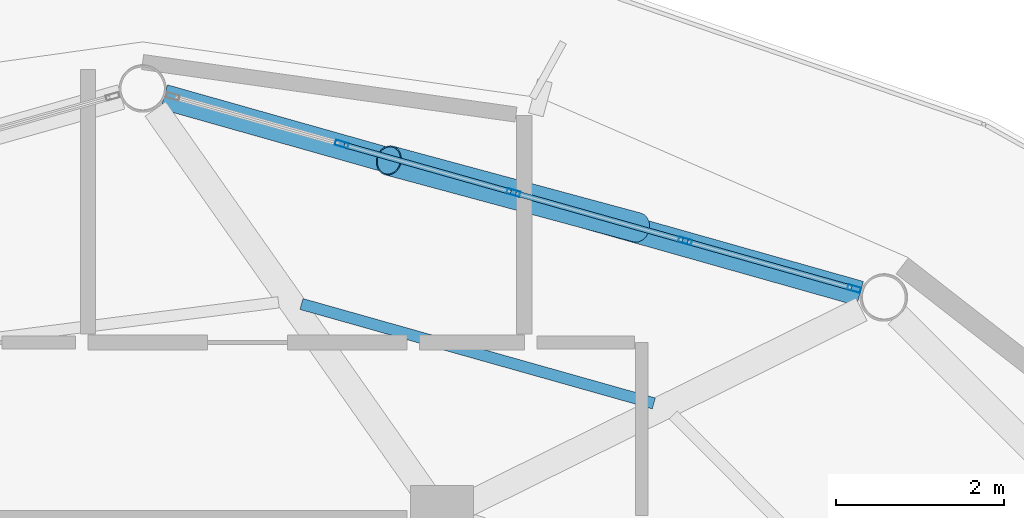
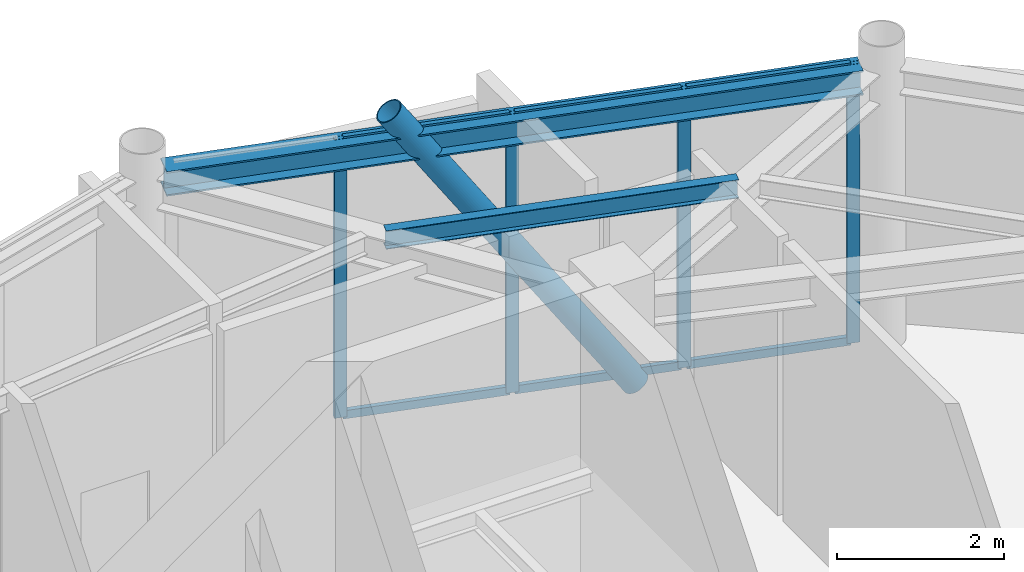
# One storey, part 16 of 24: 11 members, 2 beams, 1 element without a shape of its own.
"""IFC4 building model written with IfcOpenShell, lengths in metres."""

from ifc_helpers import new_model, si_unit, direction, frame, origin, origin_2d, place, context, subcontext, project, spatial, hollow_rectangle, hollow_circle, i_section, extrude, material, layer, layer_set, material_profile, profile_set, type_object, element, aggregate, save


model = new_model("IFC4")

# Units and contexts
model_context = context("Model", 3, precision=1e-05, world=origin(), true_north=direction((0.0, 1.0)))
body_context = subcontext(model_context, "Body", "Model", "MODEL_VIEW")
ifc_project = project(units=[si_unit("LENGTHUNIT", "METRE"), si_unit("AREAUNIT", "SQUARE_METRE"), si_unit("VOLUMEUNIT", "CUBIC_METRE"), si_unit("PLANEANGLEUNIT", "RADIAN"), si_unit("MASSUNIT", "GRAM", prefix="KILO")], contexts=[model_context])

# Site, building, storey
site_placement = place(None, origin())
site = spatial("IfcSite", under=ifc_project, at=site_placement, CompositionType="ELEMENT")
building_placement = place(site_placement, origin())
building = spatial("IfcBuilding", under=site, at=building_placement, Name="Varnakorn Sky Granary", CompositionType="ELEMENT")
storey_placement = place(building_placement, frame((0.0, 0.0, 285.0)))
storey = spatial("IfcBuildingStorey", under=building, at=storey_placement, Name="L73", CompositionType="ELEMENT", Elevation=285.0)

# Beams
ifc_material_1 = material(Name="Steel S355JR", Category="steel")
ifc_material_profile_1 = material_profile(ifc_material_1, i_section(OverallWidth=0.135009765625, OverallDepth=0.27001953125, WebThickness=0.006591796875, FlangeThickness=0.01025390625, at=origin_2d()), Name="IPE 270")
ifc_profile_set_1 = profile_set([ifc_material_profile_1], Name="Steel S355JR")
beam_type_1 = type_object("IfcBeamType", Name="BM-SEC-Z5", PredefinedType="BEAM", material=ifc_profile_set_1)
beam_1_placement = place(storey_placement, frame((10.944580078125, 13.973876953125, 3.945068359375), z_axis=(-0.96243880882, 0.271498691115, 0.0), x_axis=(-0.271498691115, -0.96243880882, 0.0)))
element("IfcBeam", 1, at=beam_1_placement, inside=storey, type_object=beam_type_1, Name="Secondary Floor Chord Beam MSB03 L73", PredefinedType="BEAM", context=body_context, shape_type="SweptSolid", body=[
    extrude(i_section(OverallWidth=0.135009765625, OverallDepth=0.27001953125, WebThickness=0.006591796875, FlangeThickness=0.01025390625, at=origin_2d()), origin(), (0.0, 0.0, 1.0), 4.364990234375),
])
ifc_material_profile_2 = material_profile(ifc_material_1, i_section(OverallWidth=0.300048828125, OverallDepth=0.360107421875, WebThickness=0.012451171875, FlangeThickness=0.0224609375, at=origin_2d()), Name="HE 360 B")
ifc_profile_set_2 = profile_set([ifc_material_profile_2], Name="Steel S355JR")
beam_type_2 = type_object("IfcBeamType", Name="BM-SPD-Z5", PredefinedType="SPANDREL", material=ifc_profile_set_2)
beam_2_placement = place(storey_placement, frame((13.403076171875, 15.28369140625, 3.89990234375), z_axis=(-0.962332754914, 0.271874362197, 0.0), x_axis=(-0.271874362197, -0.962332754914, 0.0)))
element("IfcBeam", 2, at=beam_2_placement, inside=storey, type_object=beam_type_2, Name="Perimeter Spandrel Ring Beam RB03 L73", PredefinedType="SPANDREL", context=body_context, shape_type="SweptSolid", body=[
    extrude(i_section(OverallWidth=0.300048828125, OverallDepth=0.360107421875, WebThickness=0.012451171875, FlangeThickness=0.0224609375, at=origin_2d()), origin(), (0.0, 0.0, 1.0), 8.623291015625),
])

# Curtain wall, members
ifc_material_2 = material(Name="Anodised Bronze Aluminium Alloy 6063-T6", Category="aluminium")
ifc_layer = layer(ifc_material_2, 0.159912109375, Name="Anodised Bronze Aluminium Alloy 6063-T6")
ifc_layer_set = layer_set([ifc_layer], Name="Anodised Bronze Aluminium Alloy 6063-T6")
curtain_wall_type = type_object("IfcCurtainWallType", Name="CW-OFF-1", PredefinedType="USERDEFINED", material=ifc_layer_set)
curtain_wall_placement = place(storey_placement, origin())
curtain_wall = element("IfcCurtainWall", 3, at=curtain_wall_placement, inside=storey, type_object=curtain_wall_type, Name="Unitised Curtain Wall CW6 CW-L73-B03", ObjectType="CURTAIN WALL", PredefinedType="USERDEFINED")
ifc_material_profile_3 = material_profile(ifc_material_2, hollow_rectangle(XDim=0.06494140625, YDim=0.159912109375, WallThickness=0.00341796875, at=origin_2d()), Name="ALU MULL 65x160")
ifc_profile_set_3 = profile_set([ifc_material_profile_3], Name="Anodised Bronze Aluminium Alloy 6063-T6")
member_type_1 = type_object("IfcMemberType", Name="CW-OFF-1-MULL", PredefinedType="MULLION", material=ifc_profile_set_3)
member_1_placement = place(storey_placement, frame((7.223876953125, 17.064697265625, 0.0), z_axis=(0.0, 0.0, 1.0), x_axis=(0.271372217369, 0.962474477397, 0.0)))
member_1 = element("IfcMember", 4, at=member_1_placement, type_object=member_type_1, Name="CW6 mullion 2", PredefinedType="MULLION", context=body_context, shape_type="SweptSolid", body=[
    extrude(hollow_rectangle(XDim=0.06494140625, YDim=0.159912109375, WallThickness=0.00341796875, at=origin_2d()), origin(), (0.0, 0.0, 1.0), 4.080078125),
])
member_2_placement = place(storey_placement, frame((9.270751953125, 16.487548828125, 0.0), z_axis=(0.0, 0.0, 1.0), x_axis=(0.271372217369, 0.962474477397, 0.0)))
member_2 = element("IfcMember", 5, at=member_2_placement, type_object=member_type_1, Name="CW6 mullion 3", PredefinedType="MULLION", context=body_context, shape_type="SweptSolid", body=[
    extrude(hollow_rectangle(XDim=0.06494140625, YDim=0.159912109375, WallThickness=0.00341796875, at=origin_2d()), origin(), (0.0, 0.0, 1.0), 4.080078125),
])
member_3_placement = place(storey_placement, frame((11.317626953125, 15.910400390625, 0.0), z_axis=(0.0, 0.0, 1.0), x_axis=(0.271372217369, 0.962474477397, 0.0)))
member_3 = element("IfcMember", 6, at=member_3_placement, type_object=member_type_1, Name="CW6 mullion 4", PredefinedType="MULLION", context=body_context, shape_type="SweptSolid", body=[
    extrude(hollow_rectangle(XDim=0.06494140625, YDim=0.159912109375, WallThickness=0.00341796875, at=origin_2d()), origin(), (0.0, 0.0, 1.0), 4.080078125),
])
member_4_placement = place(storey_placement, frame((13.33349609375, 15.342041015625, 0.0), z_axis=(0.0, 0.0, 1.0), x_axis=(0.271372217369, 0.962474477397, 0.0)))
member_4 = element("IfcMember", 7, at=member_4_placement, type_object=member_type_1, Name="CW6 mullion 5", PredefinedType="MULLION", context=body_context, shape_type="SweptSolid", body=[
    extrude(hollow_rectangle(XDim=0.06494140625, YDim=0.159912109375, WallThickness=0.00341796875, at=origin_2d()), origin(), (0.0, 0.0, 1.0), 4.080078125),
])
ifc_material_profile_4 = material_profile(ifc_material_2, hollow_rectangle(XDim=0.06494140625, YDim=0.1201171875, WallThickness=0.00341796875, at=origin_2d()), Name="ALU TRAN 65x120")
ifc_profile_set_4 = profile_set([ifc_material_profile_4], Name="Anodised Bronze Aluminium Alloy 6063-T6")
member_type_2 = type_object("IfcMemberType", Name="CW-OFF-1-TRAN", PredefinedType="USERDEFINED", material=ifc_profile_set_4)
member_5_placement = place(storey_placement, frame((7.255126953125, 17.055908203125, 0.032470703125), z_axis=(0.962465539742, -0.271403914504, 0.0), x_axis=(0.271403914504, 0.962465539742, 0.0)))
member_5 = element("IfcMember", 8, at=member_5_placement, type_object=member_type_2, Name="CW6 transom 2.1", ObjectType="TRANSOM", PredefinedType="USERDEFINED", context=body_context, shape_type="SweptSolid", body=[
    extrude(hollow_rectangle(XDim=0.06494140625, YDim=0.1201171875, WallThickness=0.00341796875, at=origin_2d()), origin(), (0.0, 0.0, 1.0), 2.061767578125),
])
member_6_placement = place(storey_placement, frame((7.255126953125, 17.055908203125, 4.047607421875), z_axis=(0.962465539742, -0.271403914504, 0.0), x_axis=(0.271403914504, 0.962465539742, 0.0)))
member_6 = element("IfcMember", 9, at=member_6_placement, type_object=member_type_2, Name="CW6 transom 2.2", ObjectType="TRANSOM", PredefinedType="USERDEFINED", context=body_context, shape_type="SweptSolid", body=[
    extrude(hollow_rectangle(XDim=0.06494140625, YDim=0.1201171875, WallThickness=0.00341796875, at=origin_2d()), origin(), (0.0, 0.0, 1.0), 2.061767578125),
])
member_7_placement = place(storey_placement, frame((9.302001953125, 16.478759765625, 0.032470703125), z_axis=(0.962465539742, -0.271403914504, 0.0), x_axis=(0.271403914504, 0.962465539742, 0.0)))
member_7 = element("IfcMember", 10, at=member_7_placement, type_object=member_type_2, Name="CW6 transom 3.1", ObjectType="TRANSOM", PredefinedType="USERDEFINED", context=body_context, shape_type="SweptSolid", body=[
    extrude(hollow_rectangle(XDim=0.06494140625, YDim=0.1201171875, WallThickness=0.00341796875, at=origin_2d()), origin(), (0.0, 0.0, 1.0), 2.061767578125),
])
member_8_placement = place(storey_placement, frame((9.302001953125, 16.478759765625, 4.047607421875), z_axis=(0.962465539742, -0.271403914504, 0.0), x_axis=(0.271403914504, 0.962465539742, 0.0)))
member_8 = element("IfcMember", 11, at=member_8_placement, type_object=member_type_2, Name="CW6 transom 3.2", ObjectType="TRANSOM", PredefinedType="USERDEFINED", context=body_context, shape_type="SweptSolid", body=[
    extrude(hollow_rectangle(XDim=0.06494140625, YDim=0.1201171875, WallThickness=0.00341796875, at=origin_2d()), origin(), (0.0, 0.0, 1.0), 2.061767578125),
])
member_9_placement = place(storey_placement, frame((11.34912109375, 15.901611328125, 0.032470703125), z_axis=(0.962462570258, -0.271414444813, 0.0), x_axis=(0.271414444813, 0.962462570258, 0.0)))
member_9 = element("IfcMember", 12, at=member_9_placement, type_object=member_type_2, Name="CW6 transom 4.1", ObjectType="TRANSOM", PredefinedType="USERDEFINED", context=body_context, shape_type="SweptSolid", body=[
    extrude(hollow_rectangle(XDim=0.06494140625, YDim=0.1201171875, WallThickness=0.00341796875, at=origin_2d()), origin(), (0.0, 0.0, 1.0), 2.029296875),
])
member_10_placement = place(storey_placement, frame((11.34912109375, 15.901611328125, 4.047607421875), z_axis=(0.962462570258, -0.271414444813, 0.0), x_axis=(0.271414444813, 0.962462570258, 0.0)))
member_10 = element("IfcMember", 13, at=member_10_placement, type_object=member_type_2, Name="CW6 transom 4.2", ObjectType="TRANSOM", PredefinedType="USERDEFINED", context=body_context, shape_type="SweptSolid", body=[
    extrude(hollow_rectangle(XDim=0.06494140625, YDim=0.1201171875, WallThickness=0.00341796875, at=origin_2d()), origin(), (0.0, 0.0, 1.0), 2.029296875),
])
aggregate(curtain_wall, [member_1, member_2, member_3, member_4, member_5, member_6, member_7, member_8, member_9, member_10])

# Member
ifc_material_3 = material(Name="Steel S460M", Category="steel")
ifc_material_profile_5 = material_profile(ifc_material_3, hollow_circle(Radius=0.177734375, WallThickness=0.01416015625, at=origin_2d()), Name="CHS 355.6x14")
ifc_profile_set_5 = profile_set([ifc_material_profile_5], Name="Steel S460M")
member_type_3 = type_object("IfcMemberType", Name="MB-DIAG-T5", PredefinedType="BRACE", material=ifc_profile_set_5)
member_11_placement = place(storey_placement, frame((10.744384765625, 16.072021484375, -0.1298828125), z_axis=(-0.541783634141, 0.14624313148, 0.827697674439), x_axis=(-0.260601990621, -0.965446322943, 0.0)))
element("IfcMember", 14, at=member_11_placement, inside=storey, type_object=member_type_3, Name="Perimeter CHS Diagrid Brace DG03 L73", PredefinedType="BRACE", context=body_context, shape_type="SweptSolid", body=[
    extrude(hollow_circle(Radius=0.177734375, WallThickness=0.01416015625, at=origin_2d()), origin(), (0.0, 0.0, 1.0), 5.460693359375),
])

save(model, "model.ifc")
